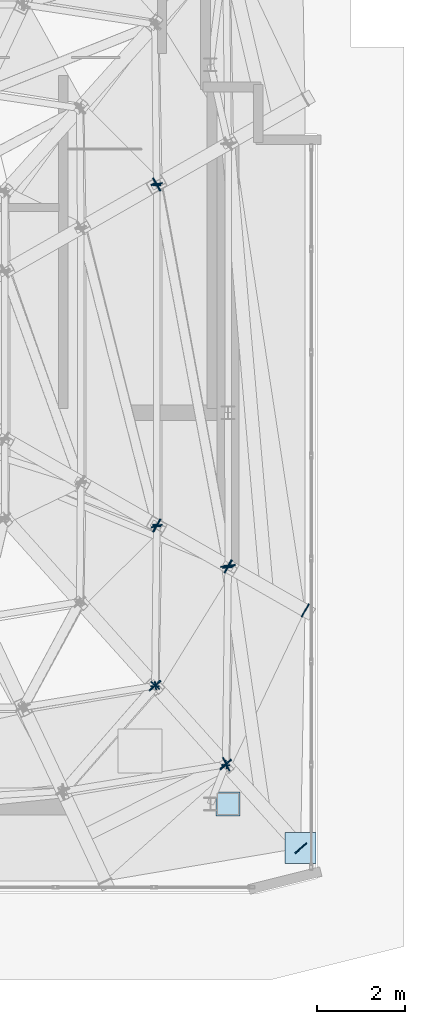
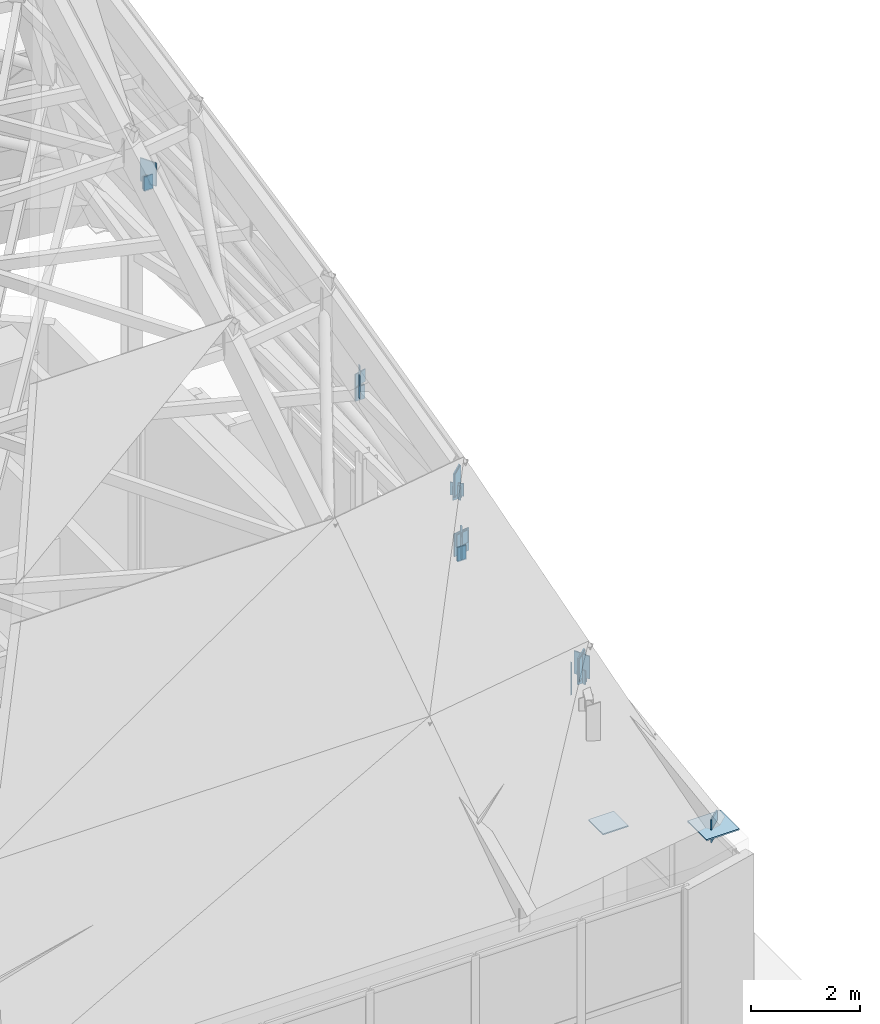
# One storey, part 23 of 30: 30 plates.
"""IFC4 building model written with IfcOpenShell, lengths in metres."""

import ifcopenshell
import ifcopenshell.guid

model = None  # the IFC model being written
_history = None  # IfcOwnerHistory: only IFC2X3 demands one
_inside = {}  # id of a spatial element -> (the spatial element, [elements in it])
_under = {}  # id of a project, library or spatial element -> (it, [spatial elements below it])
_declared = {}  # id of a project -> (the project, [libraries it declares])
_typed = {}  # id of a type object -> (the type object, [elements of that type])
_made_of = {}  # id of a material, layer set ... -> (it, [elements and type objects made of it])


def new_model(schema):
    """Start an empty IFC model of exactly this schema.

    Asked for "IFC4X3", IfcOpenShell would pick the latest addendum, in which some entities
    have other attributes; the version numbers below select the first issue.
    IFC2X3 requires an IfcOwnerHistory on every rooted entity: one is made here for all.
    """
    global model, _history
    if schema == "IFC4X3":
        model = ifcopenshell.file(schema_version=(4, 3, 0, 0))
    else:
        model = ifcopenshell.file(schema=schema)
    _inside.clear()
    _under.clear()
    _declared.clear()
    _typed.clear()
    _made_of.clear()
    _history = None
    if model.schema == "IFC2X3":
        org = make("IfcOrganization", Name="unknown")
        user = make(
            "IfcPersonAndOrganization",
            ThePerson=make("IfcPerson", FamilyName="unknown"),
            TheOrganization=org,
        )
        app = make(
            "IfcApplication",
            ApplicationDeveloper=org,
            Version="unknown",
            ApplicationFullName="unknown",
            ApplicationIdentifier="unknown",
        )
        _history = make(
            "IfcOwnerHistory",
            OwningUser=user,
            OwningApplication=app,
            ChangeAction="ADDED",
            CreationDate=0,
        )
    return model


def make(cls, **values):
    """One entity of the class cls with the attributes given. An attribute that is None is left unset."""
    return model.create_entity(
        cls, **{name: value for name, value in values.items() if value is not None}
    )


def rooted(cls, **values):
    """An entity with a GlobalId (a new one), such as an element, a storey or a relation."""
    return make(cls, GlobalId=ifcopenshell.guid.new(), OwnerHistory=_history, **values)


def si_unit(unit_type, name, prefix=None):
    """IfcSIUnit, for example si_unit("LENGTHUNIT", "METRE", prefix="MILLI")."""
    return make("IfcSIUnit", UnitType=unit_type, Prefix=prefix, Name=name)


def assignment(units):
    """IfcUnitAssignment: the units of a project."""
    return None if units is None else make("IfcUnitAssignment", Units=units)


def point(xyz):
    """IfcCartesianPoint."""
    return None if xyz is None else make("IfcCartesianPoint", Coordinates=xyz)


def direction(xyz):
    """IfcDirection."""
    return None if xyz is None else make("IfcDirection", DirectionRatios=xyz)


def frame(location, z_axis=None, x_axis=None):
    """IfcAxis2Placement3D, a coordinate frame: its origin and axes. An axis left out is left unset."""
    return make(
        "IfcAxis2Placement3D",
        Location=point(location),
        Axis=direction(z_axis),
        RefDirection=direction(x_axis),
    )


def frame_2d(location, x_axis=None):
    """IfcAxis2Placement2D, a coordinate frame in the plane: its origin and x axis."""
    return make(
        "IfcAxis2Placement2D", Location=point(location), RefDirection=direction(x_axis)
    )


def origin():
    """The frame at (0, 0, 0) with its axes left unset."""
    return frame((0.0, 0.0, 0.0))


def origin_2d():
    """The frame at (0, 0) in the plane with its x axis left unset."""
    return frame_2d((0.0, 0.0))


def place(relative_to, where):
    """IfcLocalPlacement: puts the frame where relative to a parent placement (None: the world)."""
    return make(
        "IfcLocalPlacement", PlacementRelTo=relative_to, RelativePlacement=where
    )


def context(
    kind, dimensions, precision=None, world=None, true_north=None, identifier=None
):
    """IfcGeometricRepresentationContext, for example the 3D "Model" context."""
    return make(
        "IfcGeometricRepresentationContext",
        ContextIdentifier=identifier,
        ContextType=kind,
        CoordinateSpaceDimension=dimensions,
        Precision=precision,
        WorldCoordinateSystem=world,
        TrueNorth=true_north,
    )


def subcontext(parent, identifier, kind, view, scale=None):
    """IfcGeometricRepresentationSubContext, for example "Body" below "Model"."""
    return make(
        "IfcGeometricRepresentationSubContext",
        ContextIdentifier=identifier,
        ContextType=kind,
        ParentContext=parent,
        TargetScale=scale,
        TargetView=view,
    )


def project(units=None, contexts=None):
    """IfcProject with its units and contexts."""
    return rooted(
        "IfcProject",
        Name="project",
        RepresentationContexts=contexts,
        UnitsInContext=assignment(units),
    )


def spatial(cls, under=None, at=None, **own):
    """A site, building, storey or space (cls), placed at a placement, below another one or the project."""
    s = rooted(cls, ObjectPlacement=at, **own)
    if under is not None:
        _under.setdefault(under.id(), (under, []))[1].append(s)
    return s


def profile(cls, at=None, kind="AREA", **sizes):
    """A parametric profile (cls). Its sizes go by their IFC names, for example OverallWidth=200.0."""
    return make(cls, ProfileType=kind, Position=at, **sizes)


def rectangle(**sizes):
    """IfcRectangleProfileDef."""
    return profile("IfcRectangleProfileDef", **sizes)


def extrude(swept, where, along, depth):
    """IfcExtrudedAreaSolid: the profile swept, set in the frame where, extruded along a direction by depth."""
    return make(
        "IfcExtrudedAreaSolid",
        SweptArea=swept,
        Position=where,
        ExtrudedDirection=direction(along),
        Depth=depth,
    )


def shape(context_of_items, identifier, shape_type, items):
    """IfcShapeRepresentation: the items that make up one representation, for example the "Body"."""
    return make(
        "IfcShapeRepresentation",
        ContextOfItems=context_of_items,
        RepresentationIdentifier=identifier,
        RepresentationType=shape_type,
        Items=items,
    )


def material(Name=None, Category=None):
    """IfcMaterial."""
    return make("IfcMaterial", Name=Name, Category=Category)


def layer(
    of_material, thickness, ventilated=None, Name=None, Category=None, Priority=None
):
    """IfcMaterialLayer: one layer of a wall or slab, of a material (None: an air gap)."""
    return make(
        "IfcMaterialLayer",
        Material=of_material,
        LayerThickness=thickness,
        IsVentilated=ventilated,
        Name=Name,
        Category=Category,
        Priority=Priority,
    )


def layer_set(layers, Name=None):
    """IfcMaterialLayerSet."""
    return make("IfcMaterialLayerSet", MaterialLayers=layers, LayerSetName=Name)


def made_of(thing, what):
    """Note that an element or type object is made of a material, layer set ...; save() writes the relation."""
    if what is not None:
        _made_of.setdefault(what.id(), (what, []))[1].append(thing)
    return thing


def type_object(cls, material=None, **own):
    """A type object (cls), such as IfcWallType, which elements share."""
    return made_of(rooted(cls, **own), material)


def element(
    cls,
    number,
    at=None,
    inside=None,
    cuts=None,
    type_object=None,
    material=None,
    context=None,
    identifier="Body",
    shape_type=None,
    held_by="IfcProductDefinitionShape",
    body=None,
    shapes=None,
    **own,
):
    """One element of the class cls, such as IfcWall. Its Tag is "e" and its number.

    at: its placement. inside: the storey or other place that contains it. cuts: it is an
    opening in that element (IfcRelVoidsElement). A single representation is given by context,
    identifier, shape_type and body (its items); several are given by shapes. held_by: the class
    of the entity that holds the representations. save() writes the other relations.
    """
    e = rooted(cls, Tag="e%d" % number, ObjectPlacement=at, **own)
    if body is not None:
        shapes = [shape(context, identifier, shape_type, body)]
    if shapes is not None:
        e.Representation = make(held_by, Representations=shapes)
    if inside is not None:
        _inside.setdefault(inside.id(), (inside, []))[1].append(e)
    if cuts is not None:
        rooted(
            "IfcRelVoidsElement", RelatingBuildingElement=cuts, RelatedOpeningElement=e
        )
    if type_object is not None:
        _typed.setdefault(type_object.id(), (type_object, []))[1].append(e)
    return made_of(e, material)


def aggregate(whole, parts):
    """IfcRelAggregates: a whole, such as a stair, and the parts it consists of."""
    return rooted("IfcRelAggregates", RelatingObject=whole, RelatedObjects=parts)


def save(model, path):
    """Write the relations noted so far, then the file.

    IfcRelAggregates (storeys below a building ...), IfcRelContainedInSpatialStructure (elements
    in a storey), IfcRelDefinesByType, IfcRelAssociatesMaterial and IfcRelDeclares: one each for
    every whole, place, type object, material and project.
    """
    for whole, parts in _under.values():
        aggregate(whole, parts)
    for where, things in _inside.values():
        rooted(
            "IfcRelContainedInSpatialStructure",
            RelatedElements=things,
            RelatingStructure=where,
        )
    for kind, things in _typed.values():
        rooted("IfcRelDefinesByType", RelatedObjects=things, RelatingType=kind)
    for what, things in _made_of.values():
        rooted("IfcRelAssociatesMaterial", RelatedObjects=things, RelatingMaterial=what)
    for by, libraries in _declared.values():
        rooted("IfcRelDeclares", RelatingContext=by, RelatedDefinitions=libraries)
    model.write(path)


model = new_model("IFC4")

# Units and contexts
model_context = context("Model", 3, precision=1e-05, world=origin(), true_north=direction((0.0, 1.0)))
body_context = subcontext(model_context, "Body", "Model", "MODEL_VIEW")
ifc_project = project(units=[si_unit("LENGTHUNIT", "METRE"), si_unit("AREAUNIT", "SQUARE_METRE"), si_unit("VOLUMEUNIT", "CUBIC_METRE"), si_unit("PLANEANGLEUNIT", "RADIAN"), si_unit("MASSUNIT", "GRAM", prefix="KILO")], contexts=[model_context])

# Site, building, storey
site_placement = place(None, origin())
site = spatial("IfcSite", under=ifc_project, at=site_placement, CompositionType="ELEMENT")
building_placement = place(site_placement, origin())
building = spatial("IfcBuilding", under=site, at=building_placement, Name="Haolan Belvedere Tower", CompositionType="ELEMENT")
storey_placement = place(building_placement, frame((0.0, 0.0, 333.0)))
storey = spatial("IfcBuildingStorey", under=building, at=storey_placement, Name="L83", CompositionType="ELEMENT", Elevation=333.0)

# Plates
ifc_material = material(Name="Steel Q355B", Category="steel")
ifc_layer_1 = layer(ifc_material, 0.02490234375, Name="Steel Q355B")
ifc_layer_set_1 = layer_set([ifc_layer_1], Name="Steel Q355B")
plate_type_1 = type_object("IfcPlateType", Name="PL-CAP-25", PredefinedType="SHEET", material=ifc_layer_set_1)
plate_1_placement = place(storey_placement, frame((46.800048828125, 26.39990234375, 4.800048828125), z_axis=(0.0, 0.0, 1.0), x_axis=(1.0, 0.0, 0.0)))
element("IfcPlate", 1, at=plate_1_placement, inside=storey, type_object=plate_type_1, Name="Hollow steel end-cap plate COL-L83-CC-CR-SE-TCAP", PredefinedType="SHEET", context=body_context, shape_type="SweptSolid", body=[
    extrude(rectangle(XDim=0.5400390625, YDim=0.5400390625, at=origin_2d()), origin(), (0.0, 0.0, 1.0), 0.02490234375),
])
plate_2_placement = place(storey_placement, frame((46.7587890625, 27.30126953125, 7.57373046875), z_axis=(0.0, 0.0, 1.0), x_axis=(-0.450238704288, 0.892908231097, 0.0)))
element("IfcPlate", 2, at=plate_2_placement, inside=storey, type_object=plate_type_1, Name="Hollow steel end-cap plate CRN-DRAF-T1-03-CAP1", PredefinedType="SHEET", context=body_context, shape_type="SweptSolid", body=[
    extrude(rectangle(XDim=0.340087890625, YDim=0.02490234375, at=origin_2d()), origin(), (0.0, 0.0, 1.0), 0.510009765625),
])
plate_3_placement = place(storey_placement, frame((46.7607421875, 27.29833984375, 7.428955078125), z_axis=(0.0, 0.0, 1.0), x_axis=(-0.161827727401, 0.986819024261, 0.0)))
element("IfcPlate", 3, at=plate_3_placement, inside=storey, type_object=plate_type_1, Name="Hollow steel end-cap plate CRN-RING-T1-03-CAP1", PredefinedType="SHEET", context=body_context, shape_type="SweptSolid", body=[
    extrude(rectangle(XDim=0.18994140625, YDim=0.02490234375, at=origin_2d()), origin(), (0.0, 0.0, 1.0), 0.31005859375),
])
for number, where, z_axis, x_axis, name in (
    (4, (46.802734375, 31.809326171875, 7.572265625), (0.0, 0.0, 1.0), (-0.989530827448, -0.144321659947, 0.0), "Hollow steel end-cap plate CRN-DRAF-T1-04-CAP1"),
    (5, (48.455322265625, 25.39404296875, 4.515625), (0.0, 0.0, 1.0), (0.744288234024, 0.667858536438, 0.0), "Hollow steel end-cap plate CRN-RAF-T1-04-CAP0"),
    (6, (46.7431640625, 27.30224609375, 7.57861328125), (0.0, 0.0, 1.0), (-0.744288234024, -0.667858536438, 0.0), "Hollow steel end-cap plate CRN-RAF-T1-04-CAP1"),
):
    element("IfcPlate", number, at=place(storey_placement, frame(where, z_axis=z_axis, x_axis=x_axis)), inside=storey, type_object=plate_type_1, Name=name, PredefinedType="SHEET", context=body_context, shape_type="SweptSolid", body=[
        extrude(rectangle(XDim=0.340087890625, YDim=0.02490234375, at=origin_2d()), origin(), (0.0, 0.0, 1.0), 0.510009765625),
    ])
for number, where, z_axis, x_axis, name in (
    (7, (46.748291015625, 27.28369140625, 7.428955078125), (0.0, 0.0, 1.0), (0.999923005737, -0.012408972499, 0.0), "Hollow steel end-cap plate CRN-RING-T1-04-CAP0"),
    (8, (46.804443359375, 31.81005859375, 7.428955078125), (0.0, 0.0, 1.0), (-0.999923005737, 0.012408972499, 0.0), "Hollow steel end-cap plate CRN-RING-T1-04-CAP1"),
):
    element("IfcPlate", number, at=place(storey_placement, frame(where, z_axis=z_axis, x_axis=x_axis)), inside=storey, type_object=plate_type_1, Name=name, PredefinedType="SHEET", context=body_context, shape_type="SweptSolid", body=[
        extrude(rectangle(XDim=0.18994140625, YDim=0.02490234375, at=origin_2d()), origin(), (0.0, 0.0, 1.0), 0.31005859375),
    ])
for number, where, z_axis, x_axis, name in (
    (9, (48.555908203125, 30.796630859375, 4.5146484375), (0.0, 0.0, 1.0), (0.496140737146, 0.868242114242, 0.0), "Hollow steel end-cap plate CRN-RAF-T1-05-CAP0"),
    (10, (46.79833984375, 31.801025390625, 7.57958984375), (0.0, 0.0, 1.0), (-0.496140737146, -0.868242114242, 0.0), "Hollow steel end-cap plate CRN-RAF-T1-05-CAP1"),
):
    element("IfcPlate", number, at=place(storey_placement, frame(where, z_axis=z_axis, x_axis=x_axis)), inside=storey, type_object=plate_type_1, Name=name, PredefinedType="SHEET", context=body_context, shape_type="SweptSolid", body=[
        extrude(rectangle(XDim=0.340087890625, YDim=0.02490234375, at=origin_2d()), origin(), (0.0, 0.0, 1.0), 0.510009765625),
    ])
for number, where, z_axis, x_axis, name in (
    (11, (46.804443359375, 31.784912109375, 7.428955078125), (0.0, 0.0, 1.0), (1.0, 0.0, 0.0), "Hollow steel end-cap plate CRN-RING-T1-05-CAP0"),
    (12, (45.15283203125, 29.09033203125, 11.035400390625), (0.0, 0.0, 1.0), (-0.160794244392, 0.986987948746, 0.0), "Hollow steel end-cap plate CRN-RING-T2-03-CAP1"),
):
    element("IfcPlate", number, at=place(storey_placement, frame(where, z_axis=z_axis, x_axis=x_axis)), inside=storey, type_object=plate_type_1, Name=name, PredefinedType="SHEET", context=body_context, shape_type="SweptSolid", body=[
        extrude(rectangle(XDim=0.18994140625, YDim=0.02490234375, at=origin_2d()), origin(), (0.0, 0.0, 1.0), 0.31005859375),
    ])
plate_4_placement = place(storey_placement, frame((45.146240234375, 29.0947265625, 11.10009765625), z_axis=(0.0, 0.0, 1.0), x_axis=(-0.753127238826, 0.657874883347, 0.0)))
element("IfcPlate", 13, at=plate_4_placement, inside=storey, type_object=plate_type_1, Name="Hollow steel end-cap plate CRN-DIAG-T2-03-CAP1", PredefinedType="SHEET", context=body_context, shape_type="SweptSolid", body=[
    extrude(rectangle(XDim=0.259033203125, YDim=0.02490234375, at=origin_2d()), origin(), (0.0, 0.0, 1.0), 0.279052734375),
])
for number, where, z_axis, x_axis, name in (
    (14, (46.753173828125, 27.291015625, 7.55859375), (0.0, 0.0, 1.0), (0.744288234024, 0.667858536438, 0.0), "Hollow steel end-cap plate CRN-RAF-T2-04-CAP0"),
    (15, (45.1357421875, 29.09326171875, 11.18603515625), (0.0, 0.0, 1.0), (-0.744288234024, -0.667858536438, 0.0), "Hollow steel end-cap plate CRN-RAF-T2-04-CAP1"),
):
    element("IfcPlate", number, at=place(storey_placement, frame(where, z_axis=z_axis, x_axis=x_axis)), inside=storey, type_object=plate_type_1, Name=name, PredefinedType="SHEET", context=body_context, shape_type="SweptSolid", body=[
        extrude(rectangle(XDim=0.340087890625, YDim=0.02490234375, at=origin_2d()), origin(), (0.0, 0.0, 1.0), 0.510009765625),
    ])
for number, where, z_axis, x_axis, name in (
    (16, (45.140380859375, 29.07568359375, 11.035400390625), (0.0, 0.0, 1.0), (0.999939932483, -0.010960448242, 0.0), "Hollow steel end-cap plate CRN-RING-T2-04-CAP0"),
    (17, (45.180419921875, 32.738037109375, 11.035400390625), (0.0, 0.0, 1.0), (-0.999939932483, 0.010960448242, 0.0), "Hollow steel end-cap plate CRN-RING-T2-04-CAP1"),
):
    element("IfcPlate", number, at=place(storey_placement, frame(where, z_axis=z_axis, x_axis=x_axis)), inside=storey, type_object=plate_type_1, Name=name, PredefinedType="SHEET", context=body_context, shape_type="SweptSolid", body=[
        extrude(rectangle(XDim=0.18994140625, YDim=0.02490234375, at=origin_2d()), origin(), (0.0, 0.0, 1.0), 0.31005859375),
    ])
for number, where, z_axis, x_axis, name in (
    (18, (46.809326171875, 31.794677734375, 7.55810546875), (0.0, 0.0, 1.0), (0.496140737146, 0.868242114242, 0.0), "Hollow steel end-cap plate CRN-RAF-T2-05-CAP0"),
    (19, (45.17529296875, 32.728271484375, 11.1865234375), (0.0, 0.0, 1.0), (-0.496140737146, -0.868242114242, 0.0), "Hollow steel end-cap plate CRN-RAF-T2-05-CAP1"),
):
    element("IfcPlate", number, at=place(storey_placement, frame(where, z_axis=z_axis, x_axis=x_axis)), inside=storey, type_object=plate_type_1, Name=name, PredefinedType="SHEET", context=body_context, shape_type="SweptSolid", body=[
        extrude(rectangle(XDim=0.340087890625, YDim=0.02490234375, at=origin_2d()), origin(), (0.0, 0.0, 1.0), 0.510009765625),
    ])
for number, where, z_axis, x_axis, name in (
    (20, (45.180419921875, 32.712890625, 11.035400390625), (0.0, 0.0, 1.0), (1.0, 0.0, 0.0), "Hollow steel end-cap plate CRN-RING-T2-05-CAP0"),
    (21, (45.180419921875, 40.487060546875, 11.035400390625), (0.0, 0.0, 1.0), (-1.0, 0.0, 0.0), "Hollow steel end-cap plate CRN-RING-T2-05-CAP1"),
):
    element("IfcPlate", number, at=place(storey_placement, frame(where, z_axis=z_axis, x_axis=x_axis)), inside=storey, type_object=plate_type_1, Name=name, PredefinedType="SHEET", context=body_context, shape_type="SweptSolid", body=[
        extrude(rectangle(XDim=0.18994140625, YDim=0.02490234375, at=origin_2d()), origin(), (0.0, 0.0, 1.0), 0.31005859375),
    ])
for number, where, z_axis, x_axis, name in (
    (22, (46.806640625, 31.785888671875, 7.7802734375), (0.0, 0.0, 1.0), (0.982932138443, 0.183968506043, 0.0), "Hollow steel end-cap plate CRN-DIAG-T2-05-CAP0"),
    (23, (45.17822265625, 40.486083984375, 11.09521484375), (0.0, 0.0, 1.0), (-0.982932138443, -0.183968506043, 0.0), "Hollow steel end-cap plate CRN-DIAG-T2-05-CAP1"),
):
    element("IfcPlate", number, at=place(storey_placement, frame(where, z_axis=z_axis, x_axis=x_axis)), inside=storey, type_object=plate_type_1, Name=name, PredefinedType="SHEET", context=body_context, shape_type="SweptSolid", body=[
        extrude(rectangle(XDim=0.259033203125, YDim=0.02490234375, at=origin_2d()), origin(), (0.0, 0.0, 1.0), 0.279052734375),
    ])
plate_5_placement = place(storey_placement, frame((45.17529296875, 40.4716796875, 11.1865234375), z_axis=(0.0, 0.0, 1.0), x_axis=(0.496140737146, -0.868242114242, 0.0)))
element("IfcPlate", 24, at=plate_5_placement, inside=storey, type_object=plate_type_1, Name="Hollow steel end-cap plate CRN-RAF-T2-06-CAP1", PredefinedType="SHEET", context=body_context, shape_type="SweptSolid", body=[
    extrude(rectangle(XDim=0.340087890625, YDim=0.02490234375, at=origin_2d()), origin(), (0.0, 0.0, 1.0), 0.510009765625),
])
plate_6_placement = place(storey_placement, frame((45.180419921875, 40.4619140625, 11.035400390625), z_axis=(0.0, 0.0, 1.0), x_axis=(0.999939932483, 0.010960448242, 0.0)))
element("IfcPlate", 25, at=plate_6_placement, inside=storey, type_object=plate_type_1, Name="Hollow steel end-cap plate CRN-RING-T2-06-CAP0", PredefinedType="SHEET", context=body_context, shape_type="SweptSolid", body=[
    extrude(rectangle(XDim=0.18994140625, YDim=0.02490234375, at=origin_2d()), origin(), (0.0, 0.0, 1.0), 0.31005859375),
])
for number, where, z_axis, x_axis, name in (
    (26, (45.145263671875, 29.082763671875, 11.16552734375), (0.0, 0.0, 1.0), (0.744288234024, 0.667858536438, 0.0), "Hollow steel end-cap plate CRN-RAF-T3-04-CAP0"),
    (27, (45.185546875, 32.722412109375, 11.16455078125), (0.0, 0.0, 1.0), (0.496140737146, 0.868242114242, 0.0), "Hollow steel end-cap plate CRN-RAF-T3-05-CAP0"),
):
    element("IfcPlate", number, at=place(storey_placement, frame(where, z_axis=z_axis, x_axis=x_axis)), inside=storey, type_object=plate_type_1, Name=name, PredefinedType="SHEET", context=body_context, shape_type="SweptSolid", body=[
        extrude(rectangle(XDim=0.340087890625, YDim=0.02490234375, at=origin_2d()), origin(), (0.0, 0.0, 1.0), 0.510009765625),
    ])
plate_7_placement = place(storey_placement, frame((45.18310546875, 32.714599609375, 11.3857421875), z_axis=(0.0, 0.0, 1.0), x_axis=(0.968959664166, 0.247218869058, 0.0)))
element("IfcPlate", 28, at=plate_7_placement, inside=storey, type_object=plate_type_1, Name="Hollow steel end-cap plate CRN-DIAG-T3-05-CAP0", PredefinedType="SHEET", context=body_context, shape_type="SweptSolid", body=[
    extrude(rectangle(XDim=0.259033203125, YDim=0.02490234375, at=origin_2d()), origin(), (0.0, 0.0, 1.0), 0.279052734375),
])
plate_8_placement = place(storey_placement, frame((45.185546875, 40.4775390625, 11.16455078125), z_axis=(0.0, 0.0, 1.0), x_axis=(-0.496140737146, 0.868242114242, 0.0)))
element("IfcPlate", 29, at=plate_8_placement, inside=storey, type_object=plate_type_1, Name="Hollow steel end-cap plate CRN-RAF-T3-06-CAP0", PredefinedType="SHEET", context=body_context, shape_type="SweptSolid", body=[
    extrude(rectangle(XDim=0.340087890625, YDim=0.02490234375, at=origin_2d()), origin(), (0.0, 0.0, 1.0), 0.510009765625),
])
ifc_layer_2 = layer(ifc_material, 0.030029296875, Name="Steel Q355B")
ifc_layer_set_2 = layer_set([ifc_layer_2], Name="Steel Q355B")
plate_type_2 = type_object("IfcPlateType", Name="PL-NODE-NP04", PredefinedType="USERDEFINED", material=ifc_layer_set_2)
plate_9_placement = place(storey_placement, frame((48.449951171875, 25.39990234375, 4.77490234375), z_axis=(0.0, 0.0, 1.0), x_axis=(1.0, 0.0, 0.0)))
element("IfcPlate", 30, at=plate_9_placement, inside=storey, type_object=plate_type_2, Name="NP-04 crown hip base node plate 03", ObjectType="GUSSET", PredefinedType="USERDEFINED", context=body_context, shape_type="SweptSolid", body=[
    extrude(rectangle(XDim=0.699951171875, YDim=0.699951171875, at=origin_2d()), origin(), (0.0, 0.0, 1.0), 0.030029296875),
])

save(model, "model.ifc")
